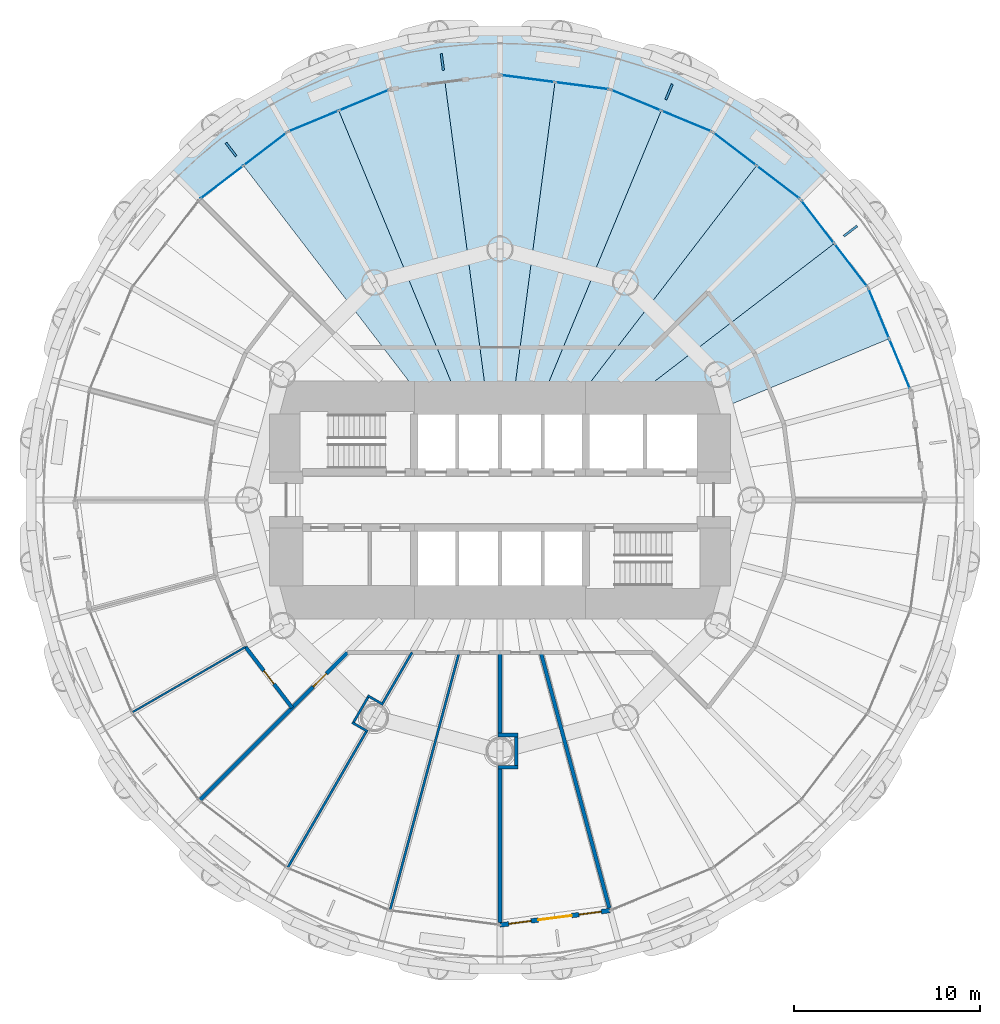
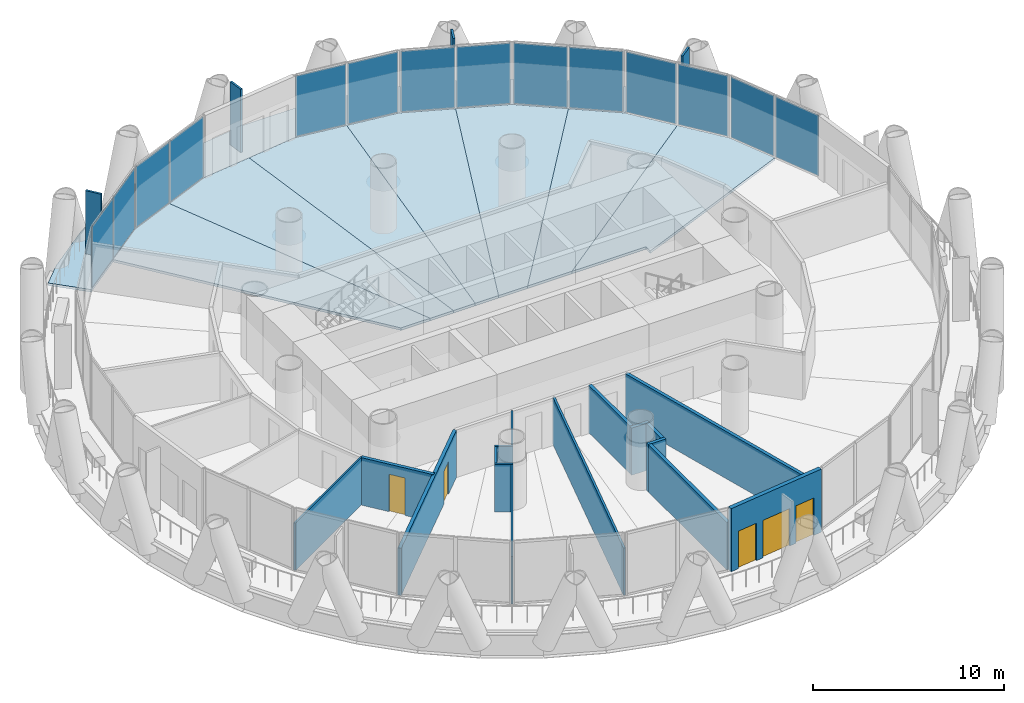
# One storey, part 9 of 16: 18 plates, 16 walls, 8 slabs, 3 doors, 2 windows, 5 openings, 7 elements without a shape of their own.
"""IFC4 building model written with IfcOpenShell, lengths in metres."""

from ifc_helpers import new_model, si_unit, direction, frame, frame_2d, origin, origin_2d, place, context, subcontext, project, spatial, polyline, rectangle, outline, extrude, material, layer, layer_set, type_object, element, fill, aggregate, save


model = new_model("IFC4")

# Units and contexts
model_context = context("Model", 3, precision=1e-05, world=origin(), true_north=direction((0.0, 1.0)))
body_context = subcontext(model_context, "Body", "Model", "MODEL_VIEW")
ifc_project = project(units=[si_unit("LENGTHUNIT", "METRE"), si_unit("AREAUNIT", "SQUARE_METRE"), si_unit("VOLUMEUNIT", "CUBIC_METRE"), si_unit("PLANEANGLEUNIT", "RADIAN"), si_unit("MASSUNIT", "GRAM", prefix="KILO")], contexts=[model_context])

# Site, building, storey
site_placement = place(None, origin())
site = spatial("IfcSite", under=ifc_project, at=site_placement, CompositionType="ELEMENT")
building_placement = place(site_placement, origin())
building = spatial("IfcBuilding", under=site, at=building_placement, Name="Qaws Media Tower", CompositionType="ELEMENT")
storey_placement = place(building_placement, frame((0.0, 0.0, 63.800048828125)))
storey = spatial("IfcBuildingStorey", under=building, at=storey_placement, Name="L13", CompositionType="ELEMENT", Elevation=63.800048828125)

# Slabs
ifc_material_1 = material(Name="Concrete C35/45", Category="concrete")
ifc_layer_1 = layer(ifc_material_1, 0.159912109375)
ifc_layer_set_1 = layer_set([ifc_layer_1], Name="Composite balcony slab 160")
slab_type_1 = type_object("IfcSlabType", Name="Composite balcony slab 160", PredefinedType="FLOOR", material=ifc_layer_set_1)
slab_1_placement = place(storey_placement, frame((0.0, 0.0, -0.16015625)))
element("IfcSlab", 1, at=slab_1_placement, inside=storey, type_object=slab_type_1, Name="S2 balcony slab L13 R04 to R10, movement joints on R04 and R10", PredefinedType="FLOOR", context=body_context, shape_type="SweptSolid", body=[
    extrude(outline(polyline([(43.3515625, 68.98388671875), (45.971923828125, 70.99462890625), (48.832275390625, 72.64599609375), (51.8837890625, 73.909912109375), (55.073974609375, 74.764892578125), (58.3486328125, 75.19580078125), (61.6513671875, 75.19580078125), (64.926025390625, 74.764892578125), (68.1162109375, 73.909912109375), (71.167724609375, 72.64599609375), (74.028076171875, 70.99462890625), (76.6484375, 68.98388671875), (77.816162109375, 67.816162109375), (76.157470703125, 66.157470703125), (71.425048828125, 69.788818359375), (65.9140625, 72.0712890625), (60.0, 72.85009765625), (54.0859375, 72.0712890625), (48.574951171875, 69.788818359375), (43.842529296875, 66.157470703125), (42.183837890625, 67.816162109375), (43.3515625, 68.98388671875)])), origin(), (0.0, 0.0, 1.0), 0.16015625),
])
ifc_material_2 = material(Name="Concrete C35/45", Category="concrete")
ifc_layer_2 = layer(ifc_material_2, 0.159912109375)
ifc_layer_set_2 = layer_set([ifc_layer_2], Name="Composite floor slab 160")
slab_type_2 = type_object("IfcSlabType", Name="Composite floor slab 160", PredefinedType="FLOOR", material=ifc_layer_set_2)
slab_2_placement = place(storey_placement, frame((0.0, 0.0, -0.16015625)))
element("IfcSlab", 2, at=slab_2_placement, inside=storey, type_object=slab_type_2, Name="S1 floor panel L13 on R03", PredefinedType="FLOOR", context=body_context, shape_type="SweptSolid", body=[
    extrude(outline(polyline([(79.788818359375, 61.425048828125), (80.929931640625, 58.66943359375), (71.0, 54.556396484375), (71.0, 55.0), (66.51611328125, 55.0), (77.972900390625, 63.791259765625), (79.788818359375, 61.425048828125)])), origin(), (0.0, 0.0, 1.0), 0.16015625),
])
slab_3_placement = place(storey_placement, frame((0.0, 0.0, -0.16015625)))
element("IfcSlab", 3, at=slab_3_placement, inside=storey, type_object=slab_type_2, Name="S1 floor panel L13 on R04", PredefinedType="FLOOR", context=body_context, shape_type="SweptSolid", body=[
    extrude(outline(polyline([(76.157470703125, 66.157470703125), (77.972900390625, 63.791259765625), (66.51611328125, 55.0), (63.836669921875, 55.0), (73.791259765625, 67.972900390625), (76.157470703125, 66.157470703125)])), origin(), (0.0, 0.0, 1.0), 0.16015625),
])
slab_4_placement = place(storey_placement, frame((0.0, 0.0, -0.16015625)))
element("IfcSlab", 4, at=slab_4_placement, inside=storey, type_object=slab_type_2, Name="S1 floor panel L13 on R05", PredefinedType="FLOOR", context=body_context, shape_type="SweptSolid", body=[
    extrude(outline(polyline([(71.425048828125, 69.788818359375), (73.791259765625, 67.972900390625), (63.836669921875, 55.0), (62.071044921875, 55.0), (68.66943359375, 70.929931640625), (71.425048828125, 69.788818359375)])), origin(), (0.0, 0.0, 1.0), 0.16015625),
])
slab_5_placement = place(storey_placement, frame((0.0, 0.0, -0.16015625)))
element("IfcSlab", 5, at=slab_5_placement, inside=storey, type_object=slab_type_2, Name="S1 floor panel L13 on R06", PredefinedType="FLOOR", context=body_context, shape_type="SweptSolid", body=[
    extrude(outline(polyline([(65.9140625, 72.0712890625), (68.66943359375, 70.929931640625), (62.071044921875, 55.0), (60.658203125, 55.0), (62.95703125, 72.460693359375), (65.9140625, 72.0712890625)])), origin(), (0.0, 0.0, 1.0), 0.16015625),
])
slab_6_placement = place(storey_placement, frame((0.0, 0.0, -0.16015625)))
element("IfcSlab", 6, at=slab_6_placement, inside=storey, type_object=slab_type_2, Name="S1 floor panel L13 on R07", PredefinedType="FLOOR", context=body_context, shape_type="SweptSolid", body=[
    extrude(outline(polyline([(60.0, 72.85009765625), (62.95703125, 72.460693359375), (60.658203125, 55.0), (59.341796875, 55.0), (57.04296875, 72.460693359375), (60.0, 72.85009765625)])), origin(), (0.0, 0.0, 1.0), 0.16015625),
])
slab_7_placement = place(storey_placement, frame((0.0, 0.0, -0.16015625)))
element("IfcSlab", 7, at=slab_7_placement, inside=storey, type_object=slab_type_2, Name="S1 floor panel L13 on R08", PredefinedType="FLOOR", context=body_context, shape_type="SweptSolid", body=[
    extrude(outline(polyline([(54.0859375, 72.0712890625), (57.04296875, 72.460693359375), (59.341796875, 55.0), (57.928955078125, 55.0), (51.33056640625, 70.929931640625), (54.0859375, 72.0712890625)])), origin(), (0.0, 0.0, 1.0), 0.16015625),
])
slab_8_placement = place(storey_placement, frame((0.0, 0.0, -0.16015625)))
element("IfcSlab", 8, at=slab_8_placement, inside=storey, type_object=slab_type_2, Name="S1 floor panel L13 on R09", PredefinedType="FLOOR", context=body_context, shape_type="SweptSolid", body=[
    extrude(outline(polyline([(48.574951171875, 69.788818359375), (51.33056640625, 70.929931640625), (57.928955078125, 55.0), (56.163330078125, 55.0), (46.208740234375, 67.972900390625), (48.574951171875, 69.788818359375)])), origin(), (0.0, 0.0, 1.0), 0.16015625),
])

# Curtain wall, plates
ifc_material_3 = material(Name="Aluminium and clear glass", Category="aluminium")
curtain_wall_type = type_object("IfcCurtainWallType", Name="Unitised curtain wall CW-A", PredefinedType="NOTDEFINED", material=ifc_material_3)
curtain_wall_1_placement = place(storey_placement, origin())
curtain_wall_1 = element("IfcCurtainWall", 9, at=curtain_wall_1_placement, inside=storey, type_object=curtain_wall_type, Name="CWA curtain wall L13-02", PredefinedType="NOTDEFINED")
ifc_material_4 = material(Name="Clear laminated double glazing", Category="glass")
ifc_layer_3 = layer(ifc_material_4, 0.031982421875)
ifc_layer_set_3 = layer_set([ifc_layer_3], Name="Curtain wall glass unit 32")
plate_type_1 = type_object("IfcPlateType", Name="Curtain wall glass unit 32", PredefinedType="CURTAIN_PANEL", material=ifc_layer_set_3)
plate_1_placement = place(storey_placement, frame((81.4931640625, 57.310302734375, 0.080078125), z_axis=(0.0, 0.0, 1.0), x_axis=(-0.382683471145, 0.923879516448, 0.0)))
plate_1 = element("IfcPlate", 10, at=plate_1_placement, type_object=plate_type_1, Name="CWA panel 1.1", PredefinedType="CURTAIN_PANEL", context=body_context, shape_type="SweptSolid", body=[
    extrude(rectangle(XDim=2.862548828125, YDim=0.031982421875, at=origin_2d()), origin(), (0.0, 0.0, 1.0), 3.8798828125),
])
plate_2_placement = place(storey_placement, frame((80.366943359375, 60.02880859375, 0.080078125), z_axis=(0.0, 0.0, 1.0), x_axis=(-0.382683471145, 0.923879516448, 0.0)))
plate_2 = element("IfcPlate", 11, at=plate_2_placement, type_object=plate_type_1, Name="CWA panel 2.1", PredefinedType="CURTAIN_PANEL", context=body_context, shape_type="SweptSolid", body=[
    extrude(rectangle(XDim=2.862548828125, YDim=0.031982421875, at=origin_2d()), origin(), (0.0, 0.0, 1.0), 3.8798828125),
])
aggregate(curtain_wall_1, [plate_1, plate_2])

curtain_wall_2_placement = place(storey_placement, origin())
curtain_wall_2 = element("IfcCurtainWall", 12, at=curtain_wall_2_placement, inside=storey, type_object=curtain_wall_type, Name="CWA curtain wall L13-03", PredefinedType="NOTDEFINED")
plate_3_placement = place(storey_placement, frame((78.86865234375, 62.6240234375, 0.080078125), z_axis=(0.0, 0.0, 1.0), x_axis=(-0.608761369427, 0.79335338601, 0.0)))
plate_3 = element("IfcPlate", 13, at=plate_3_placement, type_object=plate_type_1, Name="CWA panel 1.1", PredefinedType="CURTAIN_PANEL", context=body_context, shape_type="SweptSolid", body=[
    extrude(rectangle(XDim=2.862548828125, YDim=0.031982421875, at=origin_2d()), origin(), (0.0, 0.0, 1.0), 3.8798828125),
])
plate_4_placement = place(storey_placement, frame((77.077392578125, 64.95849609375, 0.080078125), z_axis=(0.0, 0.0, 1.0), x_axis=(-0.608761369427, 0.79335338601, 0.0)))
plate_4 = element("IfcPlate", 14, at=plate_4_placement, type_object=plate_type_1, Name="CWA panel 2.1", PredefinedType="CURTAIN_PANEL", context=body_context, shape_type="SweptSolid", body=[
    extrude(rectangle(XDim=2.862548828125, YDim=0.031982421875, at=origin_2d()), origin(), (0.0, 0.0, 1.0), 3.8798828125),
])
aggregate(curtain_wall_2, [plate_3, plate_4])

curtain_wall_3_placement = place(storey_placement, origin())
curtain_wall_3 = element("IfcCurtainWall", 15, at=curtain_wall_3_placement, inside=storey, type_object=curtain_wall_type, Name="CWA curtain wall L13-04", PredefinedType="NOTDEFINED")
plate_5_placement = place(storey_placement, frame((74.95849609375, 67.077392578125, 0.080078125), z_axis=(0.0, 0.0, 1.0), x_axis=(-0.79335338601, 0.608761369427, 0.0)))
plate_5 = element("IfcPlate", 16, at=plate_5_placement, type_object=plate_type_1, Name="CWA panel 1.1", PredefinedType="CURTAIN_PANEL", context=body_context, shape_type="SweptSolid", body=[
    extrude(rectangle(XDim=2.862548828125, YDim=0.031982421875, at=origin_2d()), origin(), (0.0, 0.0, 1.0), 3.8798828125),
])
plate_6_placement = place(storey_placement, frame((72.6240234375, 68.86865234375, 0.080078125), z_axis=(0.0, 0.0, 1.0), x_axis=(-0.79335338601, 0.608761369427, 0.0)))
plate_6 = element("IfcPlate", 17, at=plate_6_placement, type_object=plate_type_1, Name="CWA panel 2.1", PredefinedType="CURTAIN_PANEL", context=body_context, shape_type="SweptSolid", body=[
    extrude(rectangle(XDim=2.862548828125, YDim=0.031982421875, at=origin_2d()), origin(), (0.0, 0.0, 1.0), 3.8798828125),
])
aggregate(curtain_wall_3, [plate_5, plate_6])

curtain_wall_4_placement = place(storey_placement, origin())
curtain_wall_4 = element("IfcCurtainWall", 18, at=curtain_wall_4_placement, inside=storey, type_object=curtain_wall_type, Name="CWA curtain wall L13-05", PredefinedType="NOTDEFINED")
plate_7_placement = place(storey_placement, frame((70.02880859375, 70.366943359375, 0.080078125), z_axis=(0.0, 0.0, 1.0), x_axis=(-0.923879516448, 0.382683471145, 0.0)))
plate_7 = element("IfcPlate", 19, at=plate_7_placement, type_object=plate_type_1, Name="CWA panel 1.1", PredefinedType="CURTAIN_PANEL", context=body_context, shape_type="SweptSolid", body=[
    extrude(rectangle(XDim=2.862548828125, YDim=0.031982421875, at=origin_2d()), origin(), (0.0, 0.0, 1.0), 3.8798828125),
])
plate_8_placement = place(storey_placement, frame((67.310302734375, 71.4931640625, 0.080078125), z_axis=(0.0, 0.0, 1.0), x_axis=(-0.923879516448, 0.382683471145, 0.0)))
plate_8 = element("IfcPlate", 20, at=plate_8_placement, type_object=plate_type_1, Name="CWA panel 2.1", PredefinedType="CURTAIN_PANEL", context=body_context, shape_type="SweptSolid", body=[
    extrude(rectangle(XDim=2.862548828125, YDim=0.031982421875, at=origin_2d()), origin(), (0.0, 0.0, 1.0), 3.8798828125),
])
aggregate(curtain_wall_4, [plate_7, plate_8])

curtain_wall_5_placement = place(storey_placement, origin())
curtain_wall_5 = element("IfcCurtainWall", 21, at=curtain_wall_5_placement, inside=storey, type_object=curtain_wall_type, Name="CWA curtain wall L13-06", PredefinedType="NOTDEFINED")
plate_9_placement = place(storey_placement, frame((64.415771484375, 72.2685546875, 0.080078125), z_axis=(0.0, 0.0, 1.0), x_axis=(-0.991444858023, 0.130526217674, 0.0)))
plate_9 = element("IfcPlate", 22, at=plate_9_placement, type_object=plate_type_1, Name="CWA panel 1.1", PredefinedType="CURTAIN_PANEL", context=body_context, shape_type="SweptSolid", body=[
    extrude(rectangle(XDim=2.862548828125, YDim=0.031982421875, at=origin_2d()), origin(), (0.0, 0.0, 1.0), 3.8798828125),
])
plate_10_placement = place(storey_placement, frame((61.498291015625, 72.65283203125, 0.080078125), z_axis=(0.0, 0.0, 1.0), x_axis=(-0.991444858023, 0.130526217674, 0.0)))
plate_10 = element("IfcPlate", 23, at=plate_10_placement, type_object=plate_type_1, Name="CWA panel 2.1", PredefinedType="CURTAIN_PANEL", context=body_context, shape_type="SweptSolid", body=[
    extrude(rectangle(XDim=2.862548828125, YDim=0.031982421875, at=origin_2d()), origin(), (0.0, 0.0, 1.0), 3.8798828125),
])
aggregate(curtain_wall_5, [plate_9, plate_10])

curtain_wall_6_placement = place(storey_placement, origin())
curtain_wall_6 = element("IfcCurtainWall", 24, at=curtain_wall_6_placement, inside=storey, type_object=curtain_wall_type, Name="CWA curtain wall L13-08", PredefinedType="NOTDEFINED")
plate_11_placement = place(storey_placement, frame((52.689697265625, 71.4931640625, 0.080078125), z_axis=(0.0, 0.0, 1.0), x_axis=(-0.923879516448, -0.382683471145, 0.0)))
plate_11 = element("IfcPlate", 25, at=plate_11_placement, type_object=plate_type_1, Name="CWA panel 1.1", PredefinedType="CURTAIN_PANEL", context=body_context, shape_type="SweptSolid", body=[
    extrude(rectangle(XDim=2.862548828125, YDim=0.031982421875, at=origin_2d()), origin(), (0.0, 0.0, 1.0), 3.8798828125),
])
plate_12_placement = place(storey_placement, frame((49.97119140625, 70.366943359375, 0.080078125), z_axis=(0.0, 0.0, 1.0), x_axis=(-0.923879516448, -0.382683471145, 0.0)))
plate_12 = element("IfcPlate", 26, at=plate_12_placement, type_object=plate_type_1, Name="CWA panel 2.1", PredefinedType="CURTAIN_PANEL", context=body_context, shape_type="SweptSolid", body=[
    extrude(rectangle(XDim=2.862548828125, YDim=0.031982421875, at=origin_2d()), origin(), (0.0, 0.0, 1.0), 3.8798828125),
])
aggregate(curtain_wall_6, [plate_11, plate_12])

curtain_wall_7_placement = place(storey_placement, origin())
curtain_wall_7 = element("IfcCurtainWall", 27, at=curtain_wall_7_placement, inside=storey, type_object=curtain_wall_type, Name="CWA curtain wall L13-09", PredefinedType="NOTDEFINED")
plate_13_placement = place(storey_placement, frame((47.3759765625, 68.86865234375, 0.080078125), z_axis=(0.0, 0.0, 1.0), x_axis=(-0.79335338601, -0.608761369427, 0.0)))
plate_13 = element("IfcPlate", 28, at=plate_13_placement, type_object=plate_type_1, Name="CWA panel 1.1", PredefinedType="CURTAIN_PANEL", context=body_context, shape_type="SweptSolid", body=[
    extrude(rectangle(XDim=2.862548828125, YDim=0.031982421875, at=origin_2d()), origin(), (0.0, 0.0, 1.0), 3.8798828125),
])
plate_14_placement = place(storey_placement, frame((45.04150390625, 67.077392578125, 0.080078125), z_axis=(0.0, 0.0, 1.0), x_axis=(-0.79335338601, -0.608761369427, 0.0)))
plate_14 = element("IfcPlate", 29, at=plate_14_placement, type_object=plate_type_1, Name="CWA panel 2.1", PredefinedType="CURTAIN_PANEL", context=body_context, shape_type="SweptSolid", body=[
    extrude(rectangle(XDim=2.862548828125, YDim=0.031982421875, at=origin_2d()), origin(), (0.0, 0.0, 1.0), 3.8798828125),
])
aggregate(curtain_wall_7, [plate_13, plate_14])

# Plates
ifc_material_5 = material(Name="Precast concrete screen fin", Category="concrete")
ifc_layer_4 = layer(ifc_material_5, 0.1201171875)
ifc_layer_set_4 = layer_set([ifc_layer_4], Name="Screen fin 120x900")
plate_type_2 = type_object("IfcPlateType", Name="Screen fin 120x900", PredefinedType="USERDEFINED", material=ifc_layer_set_4)
for number, where, z_axis, x_axis, name in (
    (30, (78.842041015625, 64.4580078125, 0.0), (0.0, 0.0, 1.0), (0.793353340291, 0.608761429009, 0.0), "SCR1 screen fin L13-02"),
    (31, (69.088623046875, 71.942138671875, 0.0), (0.0, 0.0, 1.0), (0.382683432365, 0.923879532511, 0.0), "SCR1 screen fin L13-03"),
    (32, (56.89990234375, 73.546875, 0.0), (0.0, 0.0, 1.0), (-0.13052619222, 0.991444861374, 0.0), "SCR1 screen fin L13-04"),
    (33, (45.5419921875, 68.842041015625, 0.0), (0.0, 0.0, 1.0), (-0.608761429009, 0.793353340291, 0.0), "SCR1 screen fin L13-05"),
):
    element("IfcPlate", number, at=place(storey_placement, frame(where, z_axis=z_axis, x_axis=x_axis)), inside=storey, type_object=plate_type_2, Name=name, ObjectType="SCREEN", PredefinedType="USERDEFINED", context=body_context, shape_type="SweptSolid", body=[
        extrude(rectangle(XDim=0.89990234375, YDim=0.1201171875, at=origin_2d()), origin(), (0.0, 0.0, 1.0), 4.0400390625),
    ])

# Wall, openings, door, windows
ifc_material_6 = material(Name="Precast concrete, exposed finish", Category="concrete")
ifc_layer_5 = layer(ifc_material_6, 0.25)
ifc_layer_set_5 = layer_set([ifc_layer_5], Name="Balcony door wall 250")
wall_type_1 = type_object("IfcWallType", Name="Balcony door wall 250", PredefinedType="SOLIDWALL", material=ifc_layer_set_5)
wall_1_placement = place(storey_placement, frame((60.0, 27.14990234375, 0.0), z_axis=(0.0, 0.0, 1.0), x_axis=(0.991440359318, 0.130560384174, 0.0)))
wall_1 = element("IfcWall", 34, at=wall_1_placement, inside=storey, type_object=wall_type_1, Name="W142 EW1 balcony door wall L13-19", PredefinedType="SOLIDWALL", context=body_context, shape_type="SweptSolid", body=[
    extrude(rectangle(XDim=5.965087890625, YDim=0.25, at=frame_2d((2.982421875, 0.0))), origin(), (0.0, 0.0, 1.0), 4.0400390625),
])
opening_1_placement = place(wall_1_placement, frame((2.08251953125, 0.0, 0.0)))
opening_1 = element("IfcOpeningElement", 35, at=opening_1_placement, cuts=wall_1, Name="Opening D7", PredefinedType="OPENING", context=body_context, shape_type="SweptSolid", body=[
    extrude(rectangle(XDim=1.800048828125, YDim=2.39990234375, at=frame_2d((0.89990234375, 1.199951171875))), frame((0.0, 0.135009765625, 0.0), z_axis=(0.0, -1.0, 0.0), x_axis=(1.0, 0.0, 0.0)), (0.0, 0.0, 1.0), 0.27001953125),
])
opening_2_placement = place(wall_1_placement, frame((0.482421875, 0.0, 0.0)))
opening_2 = element("IfcOpeningElement", 36, at=opening_2_placement, cuts=wall_1, Name="Opening W1", PredefinedType="OPENING", context=body_context, shape_type="SweptSolid", body=[
    extrude(rectangle(XDim=1.199951171875, YDim=2.39990234375, at=frame_2d((0.60009765625, 1.199951171875))), frame((0.0, 0.135009765625, 0.0), z_axis=(0.0, -1.0, 0.0), x_axis=(1.0, 0.0, 0.0)), (0.0, 0.0, 1.0), 0.27001953125),
])
opening_3_placement = place(wall_1_placement, frame((4.282470703125, 0.0, 0.0)))
opening_3 = element("IfcOpeningElement", 37, at=opening_3_placement, cuts=wall_1, Name="Opening W1", PredefinedType="OPENING", context=body_context, shape_type="SweptSolid", body=[
    extrude(rectangle(XDim=1.199951171875, YDim=2.39990234375, at=frame_2d((0.60009765625, 1.199951171875))), frame((0.0, 0.135009765625, 0.0), z_axis=(0.0, -1.0, 0.0), x_axis=(1.0, 0.0, 0.0)), (0.0, 0.0, 1.0), 0.27001953125),
])
ifc_material_7 = material(Name="Aluminium and clear glass", Category="aluminium")
door_type_1 = type_object("IfcDoorType", Name="Balcony door pair 1800", OperationType="DOUBLE_DOOR_SLIDING", PredefinedType="DOOR", material=ifc_material_7)
door_1_placement = place(opening_1_placement, origin())
door_1 = element("IfcDoor", 38, at=door_1_placement, inside=storey, type_object=door_type_1, Name="D7 balcony door L13-19 in wall W142", OperationType="DOUBLE_DOOR_SLIDING", OverallHeight=2.39990234375, OverallWidth=1.800048828125, PredefinedType="DOOR", context=body_context, shape_type="SweptSolid", body=[
    extrude(rectangle(XDim=1.800048828125, YDim=2.39990234375, at=frame_2d((0.89990234375, 1.199951171875))), frame((0.0, 0.02490234375, 0.0), z_axis=(0.0, -1.0, 0.0), x_axis=(1.0, 0.0, 0.0)), (0.0, 0.0, 1.0), 0.050048828125),
])
fill(opening_1, door_1)
ifc_material_8 = material(Name="Aluminium and clear glass", Category="aluminium")
window_type = type_object("IfcWindowType", Name="Balcony side window 1200", PartitioningType="SINGLE_PANEL", PredefinedType="WINDOW", material=ifc_material_8)
window_1_placement = place(opening_2_placement, origin())
window_1 = element("IfcWindow", 39, at=window_1_placement, inside=storey, type_object=window_type, Name="W1 balcony side light L13-19L", OverallHeight=2.39990234375, OverallWidth=1.199951171875, PartitioningType="SINGLE_PANEL", PredefinedType="WINDOW", context=body_context, shape_type="SweptSolid", body=[
    extrude(rectangle(XDim=1.199951171875, YDim=2.39990234375, at=frame_2d((0.60009765625, 1.199951171875))), frame((0.0, 0.030029296875, 0.0), z_axis=(0.0, -1.0, 0.0), x_axis=(1.0, 0.0, 0.0)), (0.0, 0.0, 1.0), 0.06005859375),
])
fill(opening_2, window_1)
window_2_placement = place(opening_3_placement, origin())
window_2 = element("IfcWindow", 40, at=window_2_placement, inside=storey, type_object=window_type, Name="W1 balcony side light L13-19R", OverallHeight=2.39990234375, OverallWidth=1.199951171875, PartitioningType="SINGLE_PANEL", PredefinedType="WINDOW", context=body_context, shape_type="SweptSolid", body=[
    extrude(rectangle(XDim=1.199951171875, YDim=2.39990234375, at=frame_2d((0.60009765625, 1.199951171875))), frame((0.0, 0.030029296875, 0.0), z_axis=(0.0, -1.0, 0.0), x_axis=(1.0, 0.0, 0.0)), (0.0, 0.0, 1.0), 0.06005859375),
])
fill(opening_3, window_2)

# Walls
ifc_material_9 = material(Name="Two layers gypsum board each side on 75 studs, insulated", Category="gypsum")
ifc_layer_6 = layer(ifc_material_9, 0.125)
ifc_layer_set_6 = layer_set([ifc_layer_6], Name="Meeting room partition 125 Rw 48")
wall_type_2 = type_object("IfcWallType", Name="Meeting room partition 125 Rw 48", PredefinedType="PARTITIONING", material=ifc_layer_set_6)
for number, where, z_axis, x_axis, name in (
    (41, (53.720947265625, 38.999267578125, 0.0), (0.0, 0.0, 1.0), (-0.866110039299, 0.499853378327, 0.0), "W517 IW5 partition return L13"),
    (42, (52.887451171875, 37.5556640625, 0.0), (0.0, 0.0, 1.0), (-0.866110039299, 0.499853378327, 0.0), "W515 IW5 partition return L13"),
):
    element("IfcWall", number, at=place(storey_placement, frame(where, z_axis=z_axis, x_axis=x_axis)), inside=storey, type_object=wall_type_2, Name=name, PredefinedType="PARTITIONING", context=body_context, shape_type="SweptSolid", body=[
        extrude(rectangle(XDim=0.968505859375, YDim=0.125, at=frame_2d((0.484375, 0.0))), origin(), (0.0, 0.0, 1.0), 3.02001953125),
    ])
wall_2_placement = place(storey_placement, frame((52.905029296875, 39.398193359375, 0.0), z_axis=(0.0, 0.0, 1.0), x_axis=(-0.499987416453, -0.866032668777, 0.0)))
element("IfcWall", 43, at=wall_2_placement, inside=storey, type_object=wall_type_2, Name="W516 IW5 partition return L13", PredefinedType="PARTITIONING", context=body_context, shape_type="SweptSolid", body=[
    extrude(rectangle(XDim=1.5419921875, YDim=0.125, at=frame_2d((0.77099609375, 0.0))), origin(), (0.0, 0.0, 1.0), 3.02001953125),
])
wall_3_placement = place(storey_placement, frame((55.27001953125, 41.807373046875, 0.0), z_axis=(0.0, 0.0, 1.0), x_axis=(-0.500022702249, -0.866012296238, 0.0)))
element("IfcWall", 44, at=wall_3_placement, inside=storey, type_object=wall_type_2, Name="W518 IW5 partition L13", PredefinedType="PARTITIONING", context=body_context, shape_type="SweptSolid", body=[
    extrude(rectangle(XDim=3.143798828125, YDim=0.125, at=frame_2d((1.57177734375, 0.0))), origin(), (0.0, 0.0, 1.0), 3.0400390625),
])
wall_4_placement = place(storey_placement, frame((52.802001953125, 37.53271484375, 0.0), z_axis=(0.0, 0.0, 1.0), x_axis=(-0.50000878899, -0.866020329399, 0.0)))
element("IfcWall", 45, at=wall_4_placement, inside=storey, type_object=wall_type_2, Name="W522 IW5 partition L13", PredefinedType="PARTITIONING", context=body_context, shape_type="SweptSolid", body=[
    extrude(rectangle(XDim=8.413818359375, YDim=0.125, at=frame_2d((4.20703125, 0.0))), origin(), (0.0, 0.0, 1.0), 3.0400390625),
])
wall_5_placement = place(storey_placement, frame((57.80517578125, 41.808837890625, 0.0), z_axis=(0.0, 0.0, 1.0), x_axis=(-0.258828909059, -0.965923183196, 0.0)))
element("IfcWall", 46, at=wall_5_placement, inside=storey, type_object=wall_type_2, Name="W523 IW5 partition L13", PredefinedType="PARTITIONING", context=body_context, shape_type="SweptSolid", body=[
    extrude(rectangle(XDim=14.329833984375, YDim=0.125, at=frame_2d((7.1650390625, 0.0))), origin(), (0.0, 0.0, 1.0), 3.02001953125),
])
ifc_material_10 = material(Name="Gypsum board on 70 metal studs, single layer each side", Category="gypsum")
ifc_layer_7 = layer(ifc_material_10, 0.10009765625)
ifc_layer_set_7 = layer_set([ifc_layer_7], Name="Office stud partition 100")
wall_type_3 = type_object("IfcWallType", Name="Office stud partition 100", PredefinedType="PARTITIONING", material=ifc_layer_set_7)
wall_6_placement = place(storey_placement, frame((46.31689453125, 42.10009765625, 0.0), z_axis=(0.0, 0.0, 1.0), x_axis=(-0.866016231478, -0.500015886565, 0.0)))
element("IfcWall", 47, at=wall_6_placement, inside=storey, type_object=wall_type_3, Name="W645 IW4 partition L13", PredefinedType="PARTITIONING", context=body_context, shape_type="SweptSolid", body=[
    extrude(rectangle(XDim=7.010009765625, YDim=0.10009765625, at=frame_2d((3.5048828125, 0.0))), origin(), (0.0, 0.0, 1.0), 3.0400390625),
])

# Wall, opening, door
ifc_material_11 = material(Name="Gypsum board on galvanised metal studs, acoustic double stud, deflection head", Category="gypsum")
ifc_layer_8 = layer(ifc_material_11, 0.199951171875)
ifc_layer_set_8 = layer_set([ifc_layer_8], Name="Room partition 200")
wall_type_4 = type_object("IfcWallType", Name="Room partition 200", PredefinedType="PARTITIONING", material=ifc_layer_set_8)
wall_7_placement = place(storey_placement, frame((48.82763671875, 38.82763671875, 0.0), z_axis=(0.0, 0.0, 1.0), x_axis=(-0.608714823874, 0.793389099494, 0.0)))
wall_7 = element("IfcWall", 48, at=wall_7_placement, inside=storey, type_object=wall_type_4, Name="W948 IW3 partition L13", PredefinedType="PARTITIONING", context=body_context, shape_type="SweptSolid", body=[
    extrude(rectangle(XDim=4.124755859375, YDim=0.199951171875, at=frame_2d((2.0625, 0.0))), origin(), (0.0, 0.0, 1.0), 3.0400390625),
])
opening_4_placement = place(wall_7_placement, frame((1.6123046875, 0.0, 0.0)))
opening_4 = element("IfcOpeningElement", 49, at=opening_4_placement, cuts=wall_7, Name="Opening D12", PredefinedType="OPENING", context=body_context, shape_type="SweptSolid", body=[
    extrude(rectangle(XDim=0.89990234375, YDim=2.39990234375, at=frame_2d((0.449951171875, 1.199951171875))), frame((0.0, 0.10986328125, 0.0), z_axis=(0.0, -1.0, 0.0), x_axis=(1.0, 0.0, 0.0)), (0.0, 0.0, 1.0), 0.219970703125),
])
ifc_material_12 = material(Name="Timber veneered, full height", Category="wood")
door_type_2 = type_object("IfcDoorType", Name="Office door 900x2400", OperationType="SINGLE_SWING_LEFT", PredefinedType="DOOR", material=ifc_material_12)
door_2_placement = place(opening_4_placement, origin())
door_2 = element("IfcDoor", 50, at=door_2_placement, inside=storey, type_object=door_type_2, Name="D12 Editor's office door L13 in wall W948", OperationType="SINGLE_SWING_LEFT", OverallHeight=2.39990234375, OverallWidth=0.89990234375, PredefinedType="DOOR", context=body_context, shape_type="SweptSolid", body=[
    extrude(rectangle(XDim=0.89990234375, YDim=2.39990234375, at=frame_2d((0.449951171875, 1.199951171875))), frame((0.0, 0.02490234375, 0.0), z_axis=(0.0, -1.0, 0.0), x_axis=(1.0, 0.0, 0.0)), (0.0, 0.0, 1.0), 0.050048828125),
])
fill(opening_4, door_2)

wall_8_placement = place(storey_placement, frame((51.800048828125, 41.800048828125, 0.0), z_axis=(0.0, 0.0, 1.0), x_axis=(-0.707106781187, -0.707106781187, 0.0)))
wall_8 = element("IfcWall", 51, at=wall_8_placement, inside=storey, type_object=wall_type_4, Name="W1062 IW3 partition L13", PredefinedType="PARTITIONING", context=body_context, shape_type="SweptSolid", body=[
    extrude(rectangle(XDim=11.213623046875, YDim=0.199951171875, at=frame_2d((5.60693359375, 0.0))), origin(), (0.0, 0.0, 1.0), 3.02001953125),
])
opening_5_placement = place(wall_8_placement, frame((1.601806640625, 0.0, 0.0)))
opening_5 = element("IfcOpeningElement", 52, at=opening_5_placement, cuts=wall_8, Name="Opening D5", PredefinedType="OPENING", context=body_context, shape_type="SweptSolid", body=[
    extrude(rectangle(XDim=1.0, YDim=2.10009765625, at=frame_2d((0.5, 1.050048828125))), frame((0.0, 0.10986328125, 0.0), z_axis=(0.0, -1.0, 0.0), x_axis=(1.0, 0.0, 0.0)), (0.0, 0.0, 1.0), 0.219970703125),
])
ifc_material_13 = material(Name="Timber veneered, acoustic seal", Category="wood")
door_type_3 = type_object("IfcDoorType", Name="Room door 1000", OperationType="SINGLE_SWING_LEFT", PredefinedType="DOOR", material=ifc_material_13)
door_3_placement = place(opening_5_placement, origin())
door_3 = element("IfcDoor", 53, at=door_3_placement, inside=storey, type_object=door_type_3, Name="D5 Editors' meeting room door L13 in wall W1062", OperationType="SINGLE_SWING_LEFT", OverallHeight=2.10009765625, OverallWidth=1.0, PredefinedType="DOOR", context=body_context, shape_type="SweptSolid", body=[
    extrude(rectangle(XDim=1.0, YDim=2.10009765625, at=frame_2d((0.5, 1.050048828125))), frame((0.0, 0.02490234375, 0.0), z_axis=(0.0, -1.0, 0.0), x_axis=(1.0, 0.0, 0.0)), (0.0, 0.0, 1.0), 0.050048828125),
])
fill(opening_5, door_3)

# Walls
for number, where, z_axis, x_axis, name in (
    (54, (59.89990234375, 37.37109375, 0.0), (0.0, 0.0, 1.0), (1.0, 0.0, 0.0), "W1046 IW3 partition return L13"),
    (55, (59.89990234375, 35.62890625, 0.0), (0.0, 0.0, 1.0), (1.0, 0.0, 0.0), "W1045 IW3 partition return L13"),
):
    element("IfcWall", number, at=place(storey_placement, frame(where, z_axis=z_axis, x_axis=x_axis)), inside=storey, type_object=wall_type_4, Name=name, PredefinedType="PARTITIONING", context=body_context, shape_type="SweptSolid", body=[
        extrude(rectangle(XDim=1.0810546875, YDim=0.199951171875, at=frame_2d((0.54052734375, 0.0))), origin(), (0.0, 0.0, 1.0), 3.02001953125),
    ])
wall_9_placement = place(storey_placement, frame((60.881103515625, 37.27099609375, 0.0), z_axis=(0.0, 0.0, 1.0), x_axis=(0.0, -1.0, 0.0)))
element("IfcWall", 56, at=wall_9_placement, inside=storey, type_object=wall_type_4, Name="W1049 IW3 partition return L13", PredefinedType="PARTITIONING", context=body_context, shape_type="SweptSolid", body=[
    extrude(rectangle(XDim=1.5419921875, YDim=0.199951171875, at=frame_2d((0.77099609375, 0.0))), origin(), (0.0, 0.0, 1.0), 3.02001953125),
])
wall_10_placement = place(storey_placement, frame((60.0, 41.800048828125, 0.0), z_axis=(0.0, 0.0, 1.0), x_axis=(0.0, -1.0, 0.0)))
element("IfcWall", 57, at=wall_10_placement, inside=storey, type_object=wall_type_4, Name="W1048 IW3 partition L13", PredefinedType="PARTITIONING", context=body_context, shape_type="SweptSolid", body=[
    extrude(rectangle(XDim=4.3291015625, YDim=0.199951171875, at=frame_2d((2.16455078125, 0.0))), origin(), (0.0, 0.0, 1.0), 3.0400390625),
])
wall_11_placement = place(storey_placement, frame((60.0, 35.529052734375, 0.0), z_axis=(0.0, 0.0, 1.0), x_axis=(0.0, -1.0, 0.0)))
element("IfcWall", 58, at=wall_11_placement, inside=storey, type_object=wall_type_4, Name="W1064 IW3 partition L13", PredefinedType="PARTITIONING", context=body_context, shape_type="SweptSolid", body=[
    extrude(rectangle(XDim=8.239013671875, YDim=0.199951171875, at=frame_2d((4.11962890625, 0.0))), origin(), (0.0, 0.0, 1.0), 3.0400390625),
])
wall_12_placement = place(storey_placement, frame((62.19482421875, 41.808837890625, 0.0), z_axis=(0.0, 0.0, 1.0), x_axis=(0.258810408494, -0.96592814042, 0.0)))
element("IfcWall", 59, at=wall_12_placement, inside=storey, type_object=wall_type_4, Name="W1065 IW3 partition L13", PredefinedType="PARTITIONING", context=body_context, shape_type="SweptSolid", body=[
    extrude(rectangle(XDim=14.22998046875, YDim=0.199951171875, at=frame_2d((7.114990234375, 0.0))), origin(), (0.0, 0.0, 1.0), 3.02001953125),
])

save(model, "model.ifc")
